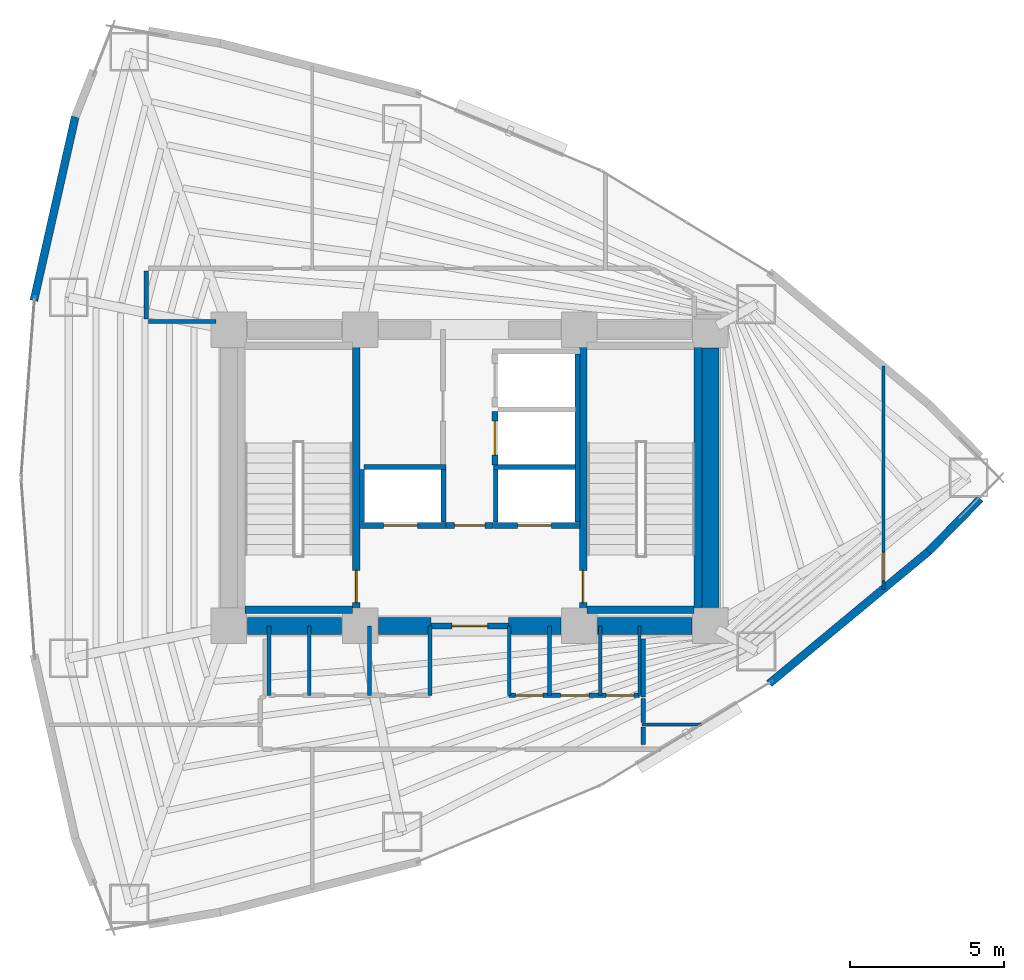
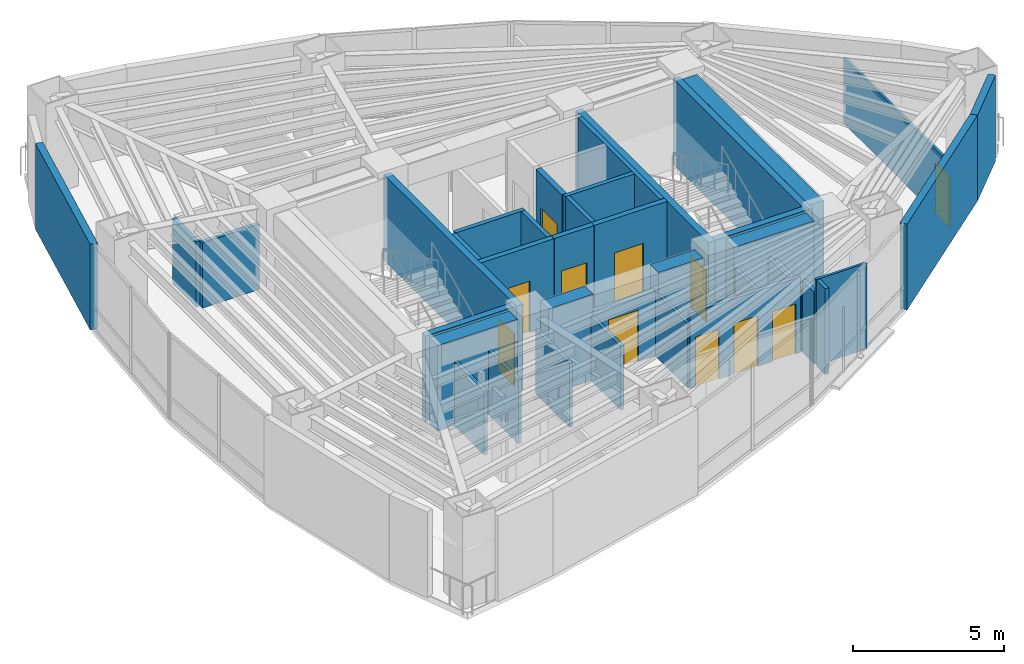
# One storey, part 15 of 18: 40 walls, 11 doors, 11 openings.
"""IFC4 building model written with IfcOpenShell, lengths in metres."""

from ifc_helpers import new_model, si_unit, direction, frame, frame_2d, origin, place, context, subcontext, project, spatial, rectangle, extrude, material, layer, layer_set, type_object, element, fill, save


model = new_model("IFC4")

# Units and contexts
model_context = context("Model", 3, precision=1e-05, world=origin(), true_north=direction((0.0, 1.0)))
body_context = subcontext(model_context, "Body", "Model", "MODEL_VIEW")
ifc_project = project(units=[si_unit("LENGTHUNIT", "METRE"), si_unit("AREAUNIT", "SQUARE_METRE"), si_unit("VOLUMEUNIT", "CUBIC_METRE"), si_unit("PLANEANGLEUNIT", "RADIAN"), si_unit("MASSUNIT", "GRAM", prefix="KILO")], contexts=[model_context])

# Site, building, storey
site_placement = place(None, origin())
site = spatial("IfcSite", under=ifc_project, at=site_placement, CompositionType="ELEMENT")
building_placement = place(site_placement, origin())
building = spatial("IfcBuilding", under=site, at=building_placement, Name="Menara Vayukalpa", CompositionType="ELEMENT")
storey_placement = place(building_placement, frame((0.0, 0.0, 130.02001953125)))
storey = spatial("IfcBuildingStorey", under=building, at=storey_placement, Name="L32", CompositionType="ELEMENT", Elevation=130.02001953125)

# Walls
ifc_material_1 = material(Name="Concrete C60/75", Category="concrete")
ifc_layer_1 = layer(ifc_material_1, 0.550048828125)
ifc_layer_set_1 = layer_set([ifc_layer_1], Name="Concrete C60/75")
wall_type_1 = type_object("IfcWallType", Name="WAL-CW550", PredefinedType="SHEAR", material=ifc_layer_set_1)
wall_1_placement = place(storey_placement, frame((18.39501953125, 17.199951171875, 0.0), z_axis=(0.0, 0.0, 1.0), x_axis=(1.0, 0.0, 0.0)))
element("IfcWall", 1, at=wall_1_placement, inside=storey, type_object=wall_type_1, Name="L32 Buttressed Core Shear Wall CWS1", PredefinedType="SHEAR", context=body_context, shape_type="SweptSolid", body=[
    extrude(rectangle(XDim=3.06005859375, YDim=0.550048828125, at=frame_2d((1.530029296875, 0.0))), origin(), (0.0, 0.0, 1.0), 3.469970703125),
])
wall_2_placement = place(storey_placement, frame((22.64501953125, 17.199951171875, 0.0), z_axis=(0.0, 0.0, 1.0), x_axis=(1.0, 0.0, 0.0)))
element("IfcWall", 2, at=wall_2_placement, inside=storey, type_object=wall_type_1, Name="L32 Buttressed Core Shear Wall CWS2", PredefinedType="SHEAR", context=body_context, shape_type="SweptSolid", body=[
    extrude(rectangle(XDim=1.705078125, YDim=0.550048828125, at=frame_2d((0.8525390625, 0.0))), origin(), (0.0, 0.0, 1.0), 3.469970703125),
])
wall_3_placement = place(storey_placement, frame((26.85009765625, 17.199951171875, 0.0), z_axis=(0.0, 0.0, 1.0), x_axis=(1.0, 0.0, 0.0)))
element("IfcWall", 3, at=wall_3_placement, inside=storey, type_object=wall_type_1, Name="L32 Buttressed Core Shear Wall CWS3", PredefinedType="SHEAR", context=body_context, shape_type="SweptSolid", body=[
    extrude(rectangle(XDim=1.704833984375, YDim=0.550048828125, at=frame_2d((0.8525390625, 0.0))), origin(), (0.0, 0.0, 1.0), 3.469970703125),
])
wall_4_placement = place(storey_placement, frame((29.7451171875, 17.199951171875, 0.0), z_axis=(0.0, 0.0, 1.0), x_axis=(1.0, 0.0, 0.0)))
element("IfcWall", 4, at=wall_4_placement, inside=storey, type_object=wall_type_1, Name="L32 Buttressed Core Shear Wall CWS4", PredefinedType="SHEAR", context=body_context, shape_type="SweptSolid", body=[
    extrude(rectangle(XDim=3.059814453125, YDim=0.550048828125, at=frame_2d((1.52978515625, 0.0))), origin(), (0.0, 0.0, 1.0), 3.469970703125),
])
wall_5_placement = place(storey_placement, frame((33.39990234375, 17.794921875, 0.0), z_axis=(0.0, 0.0, 1.0), x_axis=(0.0, 1.0, 0.0)))
element("IfcWall", 5, at=wall_5_placement, inside=storey, type_object=wall_type_1, Name="L32 Buttressed Core Shear Wall CWE1", PredefinedType="SHEAR", context=body_context, shape_type="SweptSolid", body=[
    extrude(rectangle(XDim=8.41015625, YDim=0.550048828125, at=frame_2d((4.205078125, 0.0))), origin(), (0.0, 0.0, 1.0), 3.469970703125),
])
ifc_material_2 = material(Name="Insulated Precast Concrete C40/50", Category="concrete")
ifc_layer_2 = layer(ifc_material_2, 0.260009765625)
ifc_layer_set_2 = layer_set([ifc_layer_2], Name="Insulated Precast Concrete C40/50")
wall_type_2 = type_object("IfcWallType", Name="WAL-EXT260", PredefinedType="PARTITIONING", material=ifc_layer_set_2)
wall_6_placement = place(storey_placement, frame((42.14111328125, 21.316650390625, 0.0), z_axis=(0.0, 0.0, 1.0), x_axis=(-0.700603293449, -0.713550996922, 0.0)))
element("IfcWall", 6, at=wall_6_placement, inside=storey, type_object=wall_type_2, Name="L32 Perimeter Terracotta Pier Wall 01", PredefinedType="PARTITIONING", context=body_context, shape_type="SweptSolid", body=[
    extrude(rectangle(XDim=2.394775390625, YDim=0.260009765625, at=frame_2d((1.197265625, 0.0))), origin(), (0.0, 0.0, 1.0), 3.469970703125),
])
wall_7_placement = place(storey_placement, frame((11.482421875, 27.73828125, 0.0), z_axis=(0.0, 0.0, 1.0), x_axis=(0.219535044336, 0.975604614743, 0.0)))
element("IfcWall", 7, at=wall_7_placement, inside=storey, type_object=wall_type_2, Name="L32 Perimeter Terracotta Pier Wall 09", PredefinedType="PARTITIONING", context=body_context, shape_type="SweptSolid", body=[
    extrude(rectangle(XDim=6.10205078125, YDim=0.260009765625, at=frame_2d((3.051025390625, 0.0))), origin(), (0.0, 0.0, 1.0), 3.469970703125),
])
wall_8_placement = place(storey_placement, frame((40.472412109375, 19.6162109375, 0.0), z_axis=(0.0, 0.0, 1.0), x_axis=(-0.76975316947, -0.638341646841, 0.0)))
element("IfcWall", 8, at=wall_8_placement, inside=storey, type_object=wall_type_2, Name="L32 Perimeter Terracotta Pier Wall 18", PredefinedType="PARTITIONING", context=body_context, shape_type="SweptSolid", body=[
    extrude(rectangle(XDim=6.718017578125, YDim=0.260009765625, at=frame_2d((3.35888671875, 0.0))), origin(), (0.0, 0.0, 1.0), 3.469970703125),
])
ifc_material_3 = material(Name="Lightweight Concrete Blockwork C16/20", Category="masonry")
ifc_layer_3 = layer(ifc_material_3, 0.159912109375)
ifc_layer_set_3 = layer_set([ifc_layer_3], Name="Lightweight Concrete Blockwork C16/20")
wall_type_3 = type_object("IfcWallType", Name="WAL-FR150", PredefinedType="PARTITIONING", material=ifc_layer_set_3)
for number, where, z_axis, x_axis, name in (
    (9, (22.10498046875, 20.56005859375, 0.0), (0.0, 0.0, 1.0), (0.0, 1.0, 0.0), "L32 Interior Partition IW-L32-SHW-WW"),
    (10, (24.7548828125, 20.56005859375, 0.0), (0.0, 0.0, 1.0), (0.0, 1.0, 0.0), "L32 Interior Partition IW-L32-SHW-W1E"),
):
    element("IfcWall", number, at=place(storey_placement, frame(where, z_axis=z_axis, x_axis=x_axis)), inside=storey, type_object=wall_type_3, Name=name, PredefinedType="PARTITIONING", context=body_context, shape_type="SweptSolid", body=[
        extrude(rectangle(XDim=1.7099609375, YDim=0.159912109375, at=frame_2d((0.85498046875, 0.0))), origin(), (0.0, 0.0, 1.0), 3.469970703125),
    ])
wall_9_placement = place(storey_placement, frame((22.179931640625, 22.344970703125, 0.0), z_axis=(0.0, 0.0, 1.0), x_axis=(1.0, 0.0, 0.0)))
element("IfcWall", 11, at=wall_9_placement, inside=storey, type_object=wall_type_3, Name="L32 Interior Partition IW-L32-SHM-W12", PredefinedType="PARTITIONING", context=body_context, shape_type="SweptSolid", body=[
    extrude(rectangle(XDim=2.650146484375, YDim=0.159912109375, at=frame_2d((1.3251953125, 0.0))), origin(), (0.0, 0.0, 1.0), 3.469970703125),
])
wall_10_placement = place(storey_placement, frame((29.094970703125, 20.56005859375, 0.0), z_axis=(0.0, 0.0, 1.0), x_axis=(0.0, 1.0, 0.0)))
element("IfcWall", 12, at=wall_10_placement, inside=storey, type_object=wall_type_3, Name="L32 Interior Partition IW-L32-SHW-EE", PredefinedType="PARTITIONING", context=body_context, shape_type="SweptSolid", body=[
    extrude(rectangle(XDim=5.449951171875, YDim=0.159912109375, at=frame_2d((2.72509765625, 0.0))), origin(), (0.0, 0.0, 1.0), 3.469970703125),
])
wall_11_placement = place(storey_placement, frame((26.445068359375, 20.56005859375, 0.0), z_axis=(0.0, 0.0, 1.0), x_axis=(0.0, 1.0, 0.0)))
element("IfcWall", 13, at=wall_11_placement, inside=storey, type_object=wall_type_3, Name="L32 Interior Partition IW-L32-SHW-E1W", PredefinedType="PARTITIONING", context=body_context, shape_type="SweptSolid", body=[
    extrude(rectangle(XDim=1.7099609375, YDim=0.159912109375, at=frame_2d((0.85498046875, 0.0))), origin(), (0.0, 0.0, 1.0), 3.469970703125),
])
wall_12_placement = place(storey_placement, frame((26.3701171875, 22.344970703125, 0.0), z_axis=(0.0, 0.0, 1.0), x_axis=(1.0, 0.0, 0.0)))
element("IfcWall", 14, at=wall_12_placement, inside=storey, type_object=wall_type_3, Name="L32 Interior Partition IW-L32-SHM-E13", PredefinedType="PARTITIONING", context=body_context, shape_type="SweptSolid", body=[
    extrude(rectangle(XDim=2.64990234375, YDim=0.159912109375, at=frame_2d((1.324951171875, 0.0))), origin(), (0.0, 0.0, 1.0), 3.469970703125),
])

# Wall, opening, door
ifc_material_4 = material(Name="Lightweight Concrete Blockwork C16/20", Category="masonry")
ifc_layer_4 = layer(ifc_material_4, 0.199951171875)
ifc_layer_set_4 = layer_set([ifc_layer_4], Name="Lightweight Concrete Blockwork C16/20")
wall_type_4 = type_object("IfcWallType", Name="WAL-FR200", PredefinedType="PARTITIONING", material=ifc_layer_set_4)
wall_13_placement = place(storey_placement, frame((24.35009765625, 17.199951171875, 0.0), z_axis=(0.0, 0.0, 1.0), x_axis=(1.0, 0.0, 0.0)))
wall_13 = element("IfcWall", 15, at=wall_13_placement, inside=storey, type_object=wall_type_4, Name="L32 Interior Partition IW-L32-FFLS", PredefinedType="PARTITIONING", context=body_context, shape_type="SweptSolid", body=[
    extrude(rectangle(XDim=2.5, YDim=0.199951171875, at=frame_2d((1.25, 0.0))), origin(), (0.0, 0.0, 1.0), 2.60009765625),
])
opening_1_placement = place(wall_13_placement, frame((0.679931640625, 0.0, 0.0)))
opening_1 = element("IfcOpeningElement", 16, at=opening_1_placement, cuts=wall_13, Name="Opening ID2", PredefinedType="OPENING", context=body_context, shape_type="SweptSolid", body=[
    extrude(rectangle(XDim=1.14990234375, YDim=2.080078125, at=frame_2d((0.574951171875, 1.0400390625))), frame((0.0, 0.10986328125, 0.0), z_axis=(0.0, -1.0, 0.0), x_axis=(1.0, 0.0, 0.0)), (0.0, 0.0, 1.0), 0.219970703125),
])
ifc_material_5 = material(Name="Fire-Rated Powder-Coated Steel Door", Category="steel")
door_type_1 = type_object("IfcDoorType", Name="DR-FD60W", OperationType="NOTDEFINED", PredefinedType="DOOR", material=ifc_material_5)
door_1_placement = place(opening_1_placement, origin())
door_1 = element("IfcDoor", 17, at=door_1_placement, inside=storey, type_object=door_type_1, Name="L32 Interior Door DR-L32-FFLS", OperationType="SINGLE_SWING_LEFT", OverallHeight=2.080078125, OverallWidth=1.14990234375, PredefinedType="DOOR", context=body_context, shape_type="SweptSolid", body=[
    extrude(rectangle(XDim=1.14990234375, YDim=2.080078125, at=frame_2d((0.574951171875, 1.0400390625))), frame((0.0, 0.02490234375, 0.0), z_axis=(0.0, -1.0, 0.0), x_axis=(1.0, 0.0, 0.0)), (0.0, 0.0, 1.0), 0.050048828125),
])
fill(opening_1, door_1)

wall_14_placement = place(storey_placement, frame((24.840087890625, 20.449951171875, 0.0), z_axis=(0.0, 0.0, 1.0), x_axis=(1.0, 0.0, 0.0)))
wall_14 = element("IfcWall", 18, at=wall_14_placement, inside=storey, type_object=wall_type_4, Name="L32 Interior Partition IW-L32-FFLN", PredefinedType="PARTITIONING", context=body_context, shape_type="SweptSolid", body=[
    extrude(rectangle(XDim=1.52001953125, YDim=0.199951171875, at=frame_2d((0.760009765625, 0.0))), origin(), (0.0, 0.0, 1.0), 3.469970703125),
])
opening_2_placement = place(wall_14_placement, frame((0.27001953125, 0.0, 0.0)))
opening_2 = element("IfcOpeningElement", 19, at=opening_2_placement, cuts=wall_14, Name="Opening ID3", PredefinedType="OPENING", context=body_context, shape_type="SweptSolid", body=[
    extrude(rectangle(XDim=0.97998046875, YDim=2.06005859375, at=frame_2d((0.489990234375, 1.030029296875))), frame((0.0, 0.10986328125, 0.0), z_axis=(0.0, -1.0, 0.0), x_axis=(1.0, 0.0, 0.0)), (0.0, 0.0, 1.0), 0.219970703125),
])
ifc_material_6 = material(Name="Fire-Rated Powder-Coated Steel Door", Category="steel")
door_type_2 = type_object("IfcDoorType", Name="DR-FD60", OperationType="NOTDEFINED", PredefinedType="DOOR", material=ifc_material_6)
door_2_placement = place(opening_2_placement, origin())
door_2 = element("IfcDoor", 20, at=door_2_placement, inside=storey, type_object=door_type_2, Name="L32 Interior Door DR-L32-FFLN", OperationType="SINGLE_SWING_RIGHT", OverallHeight=2.06005859375, OverallWidth=0.97998046875, PredefinedType="DOOR", context=body_context, shape_type="SweptSolid", body=[
    extrude(rectangle(XDim=0.97998046875, YDim=2.06005859375, at=frame_2d((0.489990234375, 1.030029296875))), frame((0.0, 0.02490234375, 0.0), z_axis=(0.0, -1.0, 0.0), x_axis=(1.0, 0.0, 0.0)), (0.0, 0.0, 1.0), 0.050048828125),
])
fill(opening_2, door_2)

wall_15_placement = place(storey_placement, frame((22.030029296875, 20.449951171875, 0.0), z_axis=(0.0, 0.0, 1.0), x_axis=(1.0, 0.0, 0.0)))
wall_15 = element("IfcWall", 21, at=wall_15_placement, inside=storey, type_object=wall_type_4, Name="L32 Interior Partition IW-L32-SH-W1", PredefinedType="PARTITIONING", context=body_context, shape_type="SweptSolid", body=[
    extrude(rectangle(XDim=2.800048828125, YDim=0.199951171875, at=frame_2d((1.39990234375, 0.0))), origin(), (0.0, 0.0, 1.0), 3.469970703125),
])
opening_3_placement = place(wall_15_placement, frame((0.780029296875, 0.0, 0.0)))
opening_3 = element("IfcOpeningElement", 22, at=opening_3_placement, cuts=wall_15, Name="Opening LD1", PredefinedType="OPENING", context=body_context, shape_type="SweptSolid", body=[
    extrude(rectangle(XDim=1.10009765625, YDim=2.080078125, at=frame_2d((0.550048828125, 1.0400390625))), frame((0.0, 0.10986328125, 0.0), z_axis=(0.0, -1.0, 0.0), x_axis=(1.0, 0.0, 0.0)), (0.0, 0.0, 1.0), 0.219970703125),
])
ifc_material_7 = material(Name="Brushed Stainless Steel 316 Lift Door", Category="steel")
door_type_3 = type_object("IfcDoorType", Name="DR-LD110", OperationType="NOTDEFINED", PredefinedType="DOOR", material=ifc_material_7)
door_3_placement = place(opening_3_placement, origin())
door_3 = element("IfcDoor", 23, at=door_3_placement, inside=storey, type_object=door_type_3, Name="L32 Interior Door DR-L32-LD-W1", OperationType="DOUBLE_DOOR_SLIDING", OverallHeight=2.080078125, OverallWidth=1.10009765625, PredefinedType="DOOR", context=body_context, shape_type="SweptSolid", body=[
    extrude(rectangle(XDim=1.10009765625, YDim=2.080078125, at=frame_2d((0.550048828125, 1.0400390625))), frame((0.0, 0.02490234375, 0.0), z_axis=(0.0, -1.0, 0.0), x_axis=(1.0, 0.0, 0.0)), (0.0, 0.0, 1.0), 0.050048828125),
])
fill(opening_3, door_3)

wall_16_placement = place(storey_placement, frame((26.3701171875, 20.449951171875, 0.0), z_axis=(0.0, 0.0, 1.0), x_axis=(1.0, 0.0, 0.0)))
wall_16 = element("IfcWall", 24, at=wall_16_placement, inside=storey, type_object=wall_type_4, Name="L32 Interior Partition IW-L32-SH-E1", PredefinedType="PARTITIONING", context=body_context, shape_type="SweptSolid", body=[
    extrude(rectangle(XDim=2.7998046875, YDim=0.199951171875, at=frame_2d((1.39990234375, 0.0))), origin(), (0.0, 0.0, 1.0), 3.469970703125),
])
opening_4_placement = place(wall_16_placement, frame((0.780029296875, 0.0, 0.0)))
opening_4 = element("IfcOpeningElement", 25, at=opening_4_placement, cuts=wall_16, Name="Opening LD1", PredefinedType="OPENING", context=body_context, shape_type="SweptSolid", body=[
    extrude(rectangle(XDim=1.10009765625, YDim=2.080078125, at=frame_2d((0.550048828125, 1.0400390625))), frame((0.0, 0.10986328125, 0.0), z_axis=(0.0, -1.0, 0.0), x_axis=(1.0, 0.0, 0.0)), (0.0, 0.0, 1.0), 0.219970703125),
])
door_4_placement = place(opening_4_placement, origin())
door_4 = element("IfcDoor", 26, at=door_4_placement, inside=storey, type_object=door_type_3, Name="L32 Interior Door DR-L32-LD-E1", OperationType="DOUBLE_DOOR_SLIDING", OverallHeight=2.080078125, OverallWidth=1.10009765625, PredefinedType="DOOR", context=body_context, shape_type="SweptSolid", body=[
    extrude(rectangle(XDim=1.10009765625, YDim=2.080078125, at=frame_2d((0.550048828125, 1.0400390625))), frame((0.0, 0.02490234375, 0.0), z_axis=(0.0, -1.0, 0.0), x_axis=(1.0, 0.0, 0.0)), (0.0, 0.0, 1.0), 0.050048828125),
])
fill(opening_4, door_4)

wall_17_placement = place(storey_placement, frame((26.419921875, 22.419921875, 0.0), z_axis=(0.0, 0.0, 1.0), x_axis=(0.0, 1.0, 0.0)))
wall_17 = element("IfcWall", 27, at=wall_17_placement, inside=storey, type_object=wall_type_4, Name="L32 Interior Partition IW-L32-SH-E3", PredefinedType="PARTITIONING", context=body_context, shape_type="SweptSolid", body=[
    extrude(rectangle(XDim=1.719970703125, YDim=0.199951171875, at=frame_2d((0.85986328125, 0.0))), origin(), (0.0, 0.0, 1.0), 3.469970703125),
])
opening_5_placement = place(wall_17_placement, frame((0.31005859375, 0.0, 0.0)))
opening_5 = element("IfcOpeningElement", 28, at=opening_5_placement, cuts=wall_17, Name="Opening LD1", PredefinedType="OPENING", context=body_context, shape_type="SweptSolid", body=[
    extrude(rectangle(XDim=1.10009765625, YDim=2.080078125, at=frame_2d((0.550048828125, 1.0400390625))), frame((0.0, 0.10986328125, 0.0), z_axis=(0.0, -1.0, 0.0), x_axis=(1.0, 0.0, 0.0)), (0.0, 0.0, 1.0), 0.219970703125),
])
door_5_placement = place(opening_5_placement, origin())
door_5 = element("IfcDoor", 29, at=door_5_placement, inside=storey, type_object=door_type_3, Name="L32 Interior Door DR-L32-LD-E3", OperationType="DOUBLE_DOOR_SLIDING", OverallHeight=2.080078125, OverallWidth=1.10009765625, PredefinedType="DOOR", context=body_context, shape_type="SweptSolid", body=[
    extrude(rectangle(XDim=1.10009765625, YDim=2.080078125, at=frame_2d((0.550048828125, 1.0400390625))), frame((0.0, 0.02490234375, 0.0), z_axis=(0.0, -1.0, 0.0), x_axis=(1.0, 0.0, 0.0)), (0.0, 0.0, 1.0), 0.050048828125),
])
fill(opening_5, door_5)

ifc_material_8 = material(Name="Glazed Demountable Office Partition", Category="glass")
ifc_layer_5 = layer(ifc_material_8, 0.094970703125)
ifc_layer_set_5 = layer_set([ifc_layer_5], Name="Glazed Demountable Office Partition")
wall_type_5 = type_object("IfcWallType", Name="WAL-PT100", PredefinedType="PARTITIONING", material=ifc_layer_set_5)
wall_18_placement = place(storey_placement, frame((39.0, 18.382080078125, 0.0), z_axis=(0.0, 0.0, 1.0), x_axis=(0.0, 1.0, 0.0)))
wall_18 = element("IfcWall", 30, at=wall_18_placement, inside=storey, type_object=wall_type_5, Name="L32 Interior Partition IW-L32-RDIV04", PredefinedType="PARTITIONING", context=body_context, shape_type="SweptSolid", body=[
    extrude(rectangle(XDim=7.23583984375, YDim=0.094970703125, at=frame_2d((3.617919921875, 0.0))), origin(), (0.0, 0.0, 1.0), 2.64990234375),
])
opening_6_placement = place(wall_18_placement, frame((0.280029296875, 0.0, 0.0)))
opening_6 = element("IfcOpeningElement", 31, at=opening_6_placement, cuts=wall_18, Name="Opening ID6", PredefinedType="OPENING", context=body_context, shape_type="SweptSolid", body=[
    extrude(rectangle(XDim=0.919921875, YDim=2.050048828125, at=frame_2d((0.4599609375, 1.02490234375))), frame((0.0, 0.057373046875, 0.0), z_axis=(0.0, -1.0, 0.0), x_axis=(1.0, 0.0, 0.0)), (0.0, 0.0, 1.0), 0.114990234375),
])
ifc_material_9 = material(Name="Acoustic Hardwood Veneer Timber Door", Category="wood")
door_type_4 = type_object("IfcDoorType", Name="DR-INT92", OperationType="NOTDEFINED", PredefinedType="DOOR", material=ifc_material_9)
door_6_placement = place(opening_6_placement, origin())
door_6 = element("IfcDoor", 32, at=door_6_placement, inside=storey, type_object=door_type_4, Name="L32 Interior Door DR-L32-STE03", OperationType="SINGLE_SWING_LEFT", OverallHeight=2.050048828125, OverallWidth=0.919921875, PredefinedType="DOOR", context=body_context, shape_type="SweptSolid", body=[
    extrude(rectangle(XDim=0.919921875, YDim=2.050048828125, at=frame_2d((0.4599609375, 1.02490234375))), frame((0.0, 0.02490234375, 0.0), z_axis=(0.0, -1.0, 0.0), x_axis=(1.0, 0.0, 0.0)), (0.0, 0.0, 1.0), 0.050048828125),
])
fill(opening_6, door_6)

# Walls
wall_19_placement = place(storey_placement, frame((31.179931640625, 14.0, 0.0), z_axis=(0.0, 0.0, 1.0), x_axis=(1.0, 0.0, 0.0)))
element("IfcWall", 33, at=wall_19_placement, inside=storey, type_object=wall_type_5, Name="L32 Interior Partition IW-L32-RDIV06", PredefinedType="PARTITIONING", context=body_context, shape_type="SweptSolid", body=[
    extrude(rectangle(XDim=1.923828125, YDim=0.094970703125, at=frame_2d((0.9619140625, 0.0))), origin(), (0.0, 0.0, 1.0), 3.469970703125),
])
ifc_material_10 = material(Name="Acoustic Mineral Stud Partition", Category="masonry")
ifc_layer_6 = layer(ifc_material_10, 0.110107421875)
ifc_layer_set_6 = layer_set([ifc_layer_6], Name="Acoustic Mineral Stud Partition")
wall_type_6 = type_object("IfcWallType", Name="WAL-PT110", PredefinedType="PARTITIONING", material=ifc_layer_set_6)
for number, where, z_axis, x_axis, name in (
    (34, (20.39990234375, 14.949951171875, 0.0), (0.0, 0.0, 1.0), (0.0, 1.0, 0.0), "L32 Interior Partition IW-L32-SVCD-02"),
    (35, (26.8798828125, 14.949951171875, 0.0), (0.0, 0.0, 1.0), (0.0, 1.0, 0.0), "L32 Interior Partition IW-L32-SVCD-05"),
    (36, (31.10009765625, 14.949951171875, 0.0), (0.0, 0.0, 1.0), (0.0, 1.0, 0.0), "L32 Interior Partition IW-L32-SVCD-08"),
):
    element("IfcWall", number, at=place(storey_placement, frame(where, z_axis=z_axis, x_axis=x_axis)), inside=storey, type_object=wall_type_6, Name=name, PredefinedType="PARTITIONING", context=body_context, shape_type="SweptSolid", body=[
        extrude(rectangle(XDim=2.25, YDim=0.110107421875, at=frame_2d((1.125, 0.0))), origin(), (0.0, 0.0, 1.0), 2.60009765625),
    ])
ifc_material_11 = material(Name="Gypsum Drywall Steel Stud Assembly", Category="steel")
ifc_layer_7 = layer(ifc_material_11, 0.125)
ifc_layer_set_7 = layer_set([ifc_layer_7], Name="Gypsum Drywall Steel Stud Assembly")
wall_type_7 = type_object("IfcWallType", Name="WAL-PT125", PredefinedType="PARTITIONING", material=ifc_layer_set_7)
for number, where, z_axis, x_axis, name in (
    (37, (19.10009765625, 14.949951171875, 0.0), (0.0, 0.0, 1.0), (0.0, 1.0, 0.0), "L32 Interior Partition IW-L32-SVCD-01"),
    (38, (22.360107421875, 14.949951171875, 0.0), (0.0, 0.0, 1.0), (0.0, 1.0, 0.0), "L32 Interior Partition IW-L32-SVCD-03"),
    (39, (24.320068359375, 14.949951171875, 0.0), (0.0, 0.0, 1.0), (0.0, 1.0, 0.0), "L32 Interior Partition IW-L32-SVCD-04"),
    (40, (28.18994140625, 14.949951171875, 0.0), (0.0, 0.0, 1.0), (0.0, 1.0, 0.0), "L32 Interior Partition IW-L32-SVCD-06"),
    (41, (29.830078125, 14.949951171875, 0.0), (0.0, 0.0, 1.0), (0.0, 1.0, 0.0), "L32 Interior Partition IW-L32-SVCD-07"),
):
    element("IfcWall", number, at=place(storey_placement, frame(where, z_axis=z_axis, x_axis=x_axis)), inside=storey, type_object=wall_type_7, Name=name, PredefinedType="PARTITIONING", context=body_context, shape_type="SweptSolid", body=[
        extrude(rectangle(XDim=2.25, YDim=0.125, at=frame_2d((1.125, 0.0))), origin(), (0.0, 0.0, 1.0), 2.60009765625),
    ])

# Wall, openings, doors
ifc_material_12 = material(Name="Gypsum Drywall Acoustic Stud Assembly", Category="masonry")
ifc_layer_8 = layer(ifc_material_12, 0.14501953125)
ifc_layer_set_8 = layer_set([ifc_layer_8], Name="Gypsum Drywall Acoustic Stud Assembly")
wall_type_8 = type_object("IfcWallType", Name="WAL-PT150", PredefinedType="PARTITIONING", material=ifc_layer_set_8)
wall_20_placement = place(storey_placement, frame((26.8798828125, 14.949951171875, 0.0), z_axis=(0.0, 0.0, 1.0), x_axis=(1.0, 0.0, 0.0)))
wall_20 = element("IfcWall", 42, at=wall_20_placement, inside=storey, type_object=wall_type_8, Name="L32 Interior Partition IW-L32-SVCS-E", PredefinedType="PARTITIONING", context=body_context, shape_type="SweptSolid", body=[
    extrude(rectangle(XDim=4.22021484375, YDim=0.14501953125, at=frame_2d((2.110107421875, 0.0))), origin(), (0.0, 0.0, 1.0), 3.050048828125),
])
opening_7_placement = place(wall_20_placement, frame((0.199951171875, 0.0, 0.0)))
opening_7 = element("IfcOpeningElement", 43, at=opening_7_placement, cuts=wall_20, Name="Opening ID7", PredefinedType="OPENING", context=body_context, shape_type="SweptSolid", body=[
    extrude(rectangle(XDim=0.89990234375, YDim=2.02001953125, at=frame_2d((0.449951171875, 1.010009765625))), frame((0.0, 0.08251953125, 0.0), z_axis=(0.0, -1.0, 0.0), x_axis=(1.0, 0.0, 0.0)), (0.0, 0.0, 1.0), 0.1650390625),
])
opening_8_placement = place(wall_20_placement, frame((1.669921875, 0.0, 0.0)))
opening_8 = element("IfcOpeningElement", 44, at=opening_8_placement, cuts=wall_20, Name="Opening ID6", PredefinedType="OPENING", context=body_context, shape_type="SweptSolid", body=[
    extrude(rectangle(XDim=0.919921875, YDim=2.050048828125, at=frame_2d((0.4599609375, 1.02490234375))), frame((0.0, 0.08251953125, 0.0), z_axis=(0.0, -1.0, 0.0), x_axis=(1.0, 0.0, 0.0)), (0.0, 0.0, 1.0), 0.1650390625),
])
opening_9_placement = place(wall_20_placement, frame((3.139892578125, 0.0, 0.0)))
opening_9 = element("IfcOpeningElement", 45, at=opening_9_placement, cuts=wall_20, Name="Opening ID7", PredefinedType="OPENING", context=body_context, shape_type="SweptSolid", body=[
    extrude(rectangle(XDim=0.89990234375, YDim=2.02001953125, at=frame_2d((0.449951171875, 1.010009765625))), frame((0.0, 0.08251953125, 0.0), z_axis=(0.0, -1.0, 0.0), x_axis=(1.0, 0.0, 0.0)), (0.0, 0.0, 1.0), 0.1650390625),
])
door_7_placement = place(opening_8_placement, origin())
door_7 = element("IfcDoor", 46, at=door_7_placement, inside=storey, type_object=door_type_4, Name="L32 Interior Door DR-L32-KSV2", OperationType="SINGLE_SWING_RIGHT", OverallHeight=2.050048828125, OverallWidth=0.919921875, PredefinedType="DOOR", context=body_context, shape_type="SweptSolid", body=[
    extrude(rectangle(XDim=0.919921875, YDim=2.050048828125, at=frame_2d((0.4599609375, 1.02490234375))), frame((0.0, 0.02490234375, 0.0), z_axis=(0.0, -1.0, 0.0), x_axis=(1.0, 0.0, 0.0)), (0.0, 0.0, 1.0), 0.050048828125),
])
fill(opening_8, door_7)
ifc_material_13 = material(Name="Powder-Coated Steel Riser Access Door", Category="steel")
door_type_5 = type_object("IfcDoorType", Name="DR-RISER", OperationType="NOTDEFINED", PredefinedType="DOOR", material=ifc_material_13)
door_8_placement = place(opening_7_placement, origin())
door_8 = element("IfcDoor", 47, at=door_8_placement, inside=storey, type_object=door_type_5, Name="L32 Interior Door DR-L32-KSV1", OperationType="SINGLE_SWING_LEFT", OverallHeight=2.02001953125, OverallWidth=0.89990234375, PredefinedType="DOOR", context=body_context, shape_type="SweptSolid", body=[
    extrude(rectangle(XDim=0.89990234375, YDim=2.02001953125, at=frame_2d((0.449951171875, 1.010009765625))), frame((0.0, 0.02490234375, 0.0), z_axis=(0.0, -1.0, 0.0), x_axis=(1.0, 0.0, 0.0)), (0.0, 0.0, 1.0), 0.050048828125),
])
fill(opening_7, door_8)
door_9_placement = place(opening_9_placement, origin())
door_9 = element("IfcDoor", 48, at=door_9_placement, inside=storey, type_object=door_type_5, Name="L32 Interior Door DR-L32-SMD", OperationType="SINGLE_SWING_LEFT", OverallHeight=2.02001953125, OverallWidth=0.89990234375, PredefinedType="DOOR", context=body_context, shape_type="SweptSolid", body=[
    extrude(rectangle(XDim=0.89990234375, YDim=2.02001953125, at=frame_2d((0.449951171875, 1.010009765625))), frame((0.0, 0.02490234375, 0.0), z_axis=(0.0, -1.0, 0.0), x_axis=(1.0, 0.0, 0.0)), (0.0, 0.0, 1.0), 0.050048828125),
])
fill(opening_9, door_9)

# Walls
wall_21_placement = place(storey_placement, frame((31.22998046875, 13.351318359375, 0.0), z_axis=(0.0, 0.0, 1.0), x_axis=(0.0, 1.0, 0.0)))
element("IfcWall", 49, at=wall_21_placement, inside=storey, type_object=wall_type_8, Name="L32 Interior Partition IW-L32-CRM02-2", PredefinedType="PARTITIONING", context=body_context, shape_type="SweptSolid", body=[
    extrude(rectangle(XDim=0.57861328125, YDim=0.14501953125, at=frame_2d((0.289306640625, 0.0))), origin(), (0.0, 0.0, 1.0), 3.469970703125),
])
wall_22_placement = place(storey_placement, frame((31.22998046875, 14.070068359375, 0.0), z_axis=(0.0, 0.0, 1.0), x_axis=(0.0, 1.0, 0.0)))
element("IfcWall", 50, at=wall_22_placement, inside=storey, type_object=wall_type_8, Name="L32 Interior Partition IW-L32-CRM04-1", PredefinedType="PARTITIONING", context=body_context, shape_type="SweptSolid", body=[
    extrude(rectangle(XDim=0.780029296875, YDim=0.14501953125, at=frame_2d((0.39013671875, 0.0))), origin(), (0.0, 0.0, 1.0), 2.89990234375),
])
wall_23_placement = place(storey_placement, frame((31.219970703125, 14.888671875, 0.0), z_axis=(0.0, 0.0, 1.0), x_axis=(0.0, 1.0, 0.0)))
element("IfcWall", 51, at=wall_23_placement, inside=storey, type_object=wall_type_8, Name="L32 Interior Partition IW-L32-CRM04-2", PredefinedType="PARTITIONING", context=body_context, shape_type="SweptSolid", body=[
    extrude(rectangle(XDim=1.891357421875, YDim=0.14501953125, at=frame_2d((0.94580078125, 0.0))), origin(), (0.0, 0.0, 1.0), 2.60009765625),
])
wall_24_placement = place(storey_placement, frame((15.1201171875, 28.699951171875, 0.0), z_axis=(0.0, 0.0, 1.0), x_axis=(0.0, -1.0, 0.0)))
element("IfcWall", 52, at=wall_24_placement, inside=storey, type_object=wall_type_8, Name="L32 Interior Partition IW-L32-CRM06-2", PredefinedType="PARTITIONING", context=body_context, shape_type="SweptSolid", body=[
    extrude(rectangle(XDim=1.56005859375, YDim=0.14501953125, at=frame_2d((0.780029296875, 0.0))), origin(), (0.0, 0.0, 1.0), 2.64990234375),
])
wall_25_placement = place(storey_placement, frame((15.199951171875, 27.06005859375, 0.0), z_axis=(0.0, 0.0, 1.0), x_axis=(1.0, 0.0, 0.0)))
element("IfcWall", 53, at=wall_25_placement, inside=storey, type_object=wall_type_8, Name="L32 Interior Partition IW-L32-CRM06-3", PredefinedType="PARTITIONING", context=body_context, shape_type="SweptSolid", body=[
    extrude(rectangle(XDim=2.179931640625, YDim=0.14501953125, at=frame_2d((1.08984375, 0.0))), origin(), (0.0, 0.0, 1.0), 2.64990234375),
])

# Wall, opening, door
ifc_material_14 = material(Name="Concrete C50/60", Category="concrete")
ifc_layer_9 = layer(ifc_material_14, 0.25)
ifc_layer_set_9 = layer_set([ifc_layer_9], Name="Concrete C50/60")
wall_type_9 = type_object("IfcWallType", Name="WAL-SW250", PredefinedType="SHEAR", material=ifc_layer_set_9)
wall_26_placement = place(storey_placement, frame((21.925048828125, 17.60009765625, 0.0), z_axis=(0.0, 0.0, 1.0), x_axis=(0.0, 1.0, 0.0)))
wall_26 = element("IfcWall", 54, at=wall_26_placement, inside=storey, type_object=wall_type_9, Name="L32 ST1 Structural Stair Shaft Wall E", PredefinedType="SHEAR", context=body_context, shape_type="SweptSolid", body=[
    extrude(rectangle(XDim=8.7998046875, YDim=0.25, at=frame_2d((4.39990234375, 0.0))), origin(), (0.0, 0.0, 1.0), 3.469970703125),
])
opening_10_placement = place(wall_26_placement, frame((0.35009765625, 0.0, 0.0)))
opening_10 = element("IfcOpeningElement", 55, at=opening_10_placement, cuts=wall_26, Name="Opening ID1", PredefinedType="OPENING", context=body_context, shape_type="SweptSolid", body=[
    extrude(rectangle(XDim=1.050048828125, YDim=2.080078125, at=frame_2d((0.52490234375, 1.0400390625))), frame((0.0, 0.135009765625, 0.0), z_axis=(0.0, -1.0, 0.0), x_axis=(1.0, 0.0, 0.0)), (0.0, 0.0, 1.0), 0.27001953125),
])
ifc_material_15 = material(Name="Fire-Rated Powder-Coated Steel Door", Category="steel")
door_type_6 = type_object("IfcDoorType", Name="DR-FD120", OperationType="NOTDEFINED", PredefinedType="DOOR", material=ifc_material_15)
door_10_placement = place(opening_10_placement, origin())
door_10 = element("IfcDoor", 56, at=door_10_placement, inside=storey, type_object=door_type_6, Name="L32 Stair Exit Door DR-L32-ST1", OperationType="SINGLE_SWING_LEFT", OverallHeight=2.080078125, OverallWidth=1.050048828125, PredefinedType="DOOR", context=body_context, shape_type="SweptSolid", body=[
    extrude(rectangle(XDim=1.050048828125, YDim=2.080078125, at=frame_2d((0.52490234375, 1.0400390625))), frame((0.0, 0.02490234375, 0.0), z_axis=(0.0, -1.0, 0.0), x_axis=(1.0, 0.0, 0.0)), (0.0, 0.0, 1.0), 0.050048828125),
])
fill(opening_10, door_10)

# Wall
wall_27_placement = place(storey_placement, frame((18.3291015625, 17.72509765625, 0.0), z_axis=(0.0, 0.0, 1.0), x_axis=(1.0, 0.0, 0.0)))
element("IfcWall", 57, at=wall_27_placement, inside=storey, type_object=wall_type_9, Name="L32 ST1 Structural Stair Shaft Wall S", PredefinedType="SHEAR", context=body_context, shape_type="SweptSolid", body=[
    extrude(rectangle(XDim=3.470947265625, YDim=0.25, at=frame_2d((1.7353515625, 0.0))), origin(), (0.0, 0.0, 1.0), 3.469970703125),
])

# Wall, opening, door
wall_28_placement = place(storey_placement, frame((29.27490234375, 17.60009765625, 0.0), z_axis=(0.0, 0.0, 1.0), x_axis=(0.0, 1.0, 0.0)))
wall_28 = element("IfcWall", 58, at=wall_28_placement, inside=storey, type_object=wall_type_9, Name="L32 ST2 Structural Stair Shaft Wall W", PredefinedType="SHEAR", context=body_context, shape_type="SweptSolid", body=[
    extrude(rectangle(XDim=8.7998046875, YDim=0.25, at=frame_2d((4.39990234375, 0.0))), origin(), (0.0, 0.0, 1.0), 3.469970703125),
])
opening_11_placement = place(wall_28_placement, frame((0.35009765625, 0.0, 0.0)))
opening_11 = element("IfcOpeningElement", 59, at=opening_11_placement, cuts=wall_28, Name="Opening ID1", PredefinedType="OPENING", context=body_context, shape_type="SweptSolid", body=[
    extrude(rectangle(XDim=1.050048828125, YDim=2.080078125, at=frame_2d((0.52490234375, 1.0400390625))), frame((0.0, 0.135009765625, 0.0), z_axis=(0.0, -1.0, 0.0), x_axis=(1.0, 0.0, 0.0)), (0.0, 0.0, 1.0), 0.27001953125),
])
door_11_placement = place(opening_11_placement, origin())
door_11 = element("IfcDoor", 60, at=door_11_placement, inside=storey, type_object=door_type_6, Name="L32 Stair Exit Door DR-L32-ST2", OperationType="SINGLE_SWING_RIGHT", OverallHeight=2.080078125, OverallWidth=1.050048828125, PredefinedType="DOOR", context=body_context, shape_type="SweptSolid", body=[
    extrude(rectangle(XDim=1.050048828125, YDim=2.080078125, at=frame_2d((0.52490234375, 1.0400390625))), frame((0.0, 0.02490234375, 0.0), z_axis=(0.0, -1.0, 0.0), x_axis=(1.0, 0.0, 0.0)), (0.0, 0.0, 1.0), 0.050048828125),
])
fill(opening_11, door_11)

# Walls
wall_29_placement = place(storey_placement, frame((32.99609375, 17.60009765625, 0.0), z_axis=(0.0, 0.0, 1.0), x_axis=(0.0, 1.0, 0.0)))
element("IfcWall", 61, at=wall_29_placement, inside=storey, type_object=wall_type_9, Name="L32 ST2 Structural Stair Shaft Wall E", PredefinedType="SHEAR", context=body_context, shape_type="SweptSolid", body=[
    extrude(rectangle(XDim=8.7998046875, YDim=0.25, at=frame_2d((4.39990234375, 0.0))), origin(), (0.0, 0.0, 1.0), 3.469970703125),
])
wall_30_placement = place(storey_placement, frame((29.39990234375, 17.72509765625, 0.0), z_axis=(0.0, 0.0, 1.0), x_axis=(1.0, 0.0, 0.0)))
element("IfcWall", 62, at=wall_30_placement, inside=storey, type_object=wall_type_9, Name="L32 ST2 Structural Stair Shaft Wall S", PredefinedType="SHEAR", context=body_context, shape_type="SweptSolid", body=[
    extrude(rectangle(XDim=3.47119140625, YDim=0.25, at=frame_2d((1.735595703125, 0.0))), origin(), (0.0, 0.0, 1.0), 3.469970703125),
])

save(model, "model.ifc")
